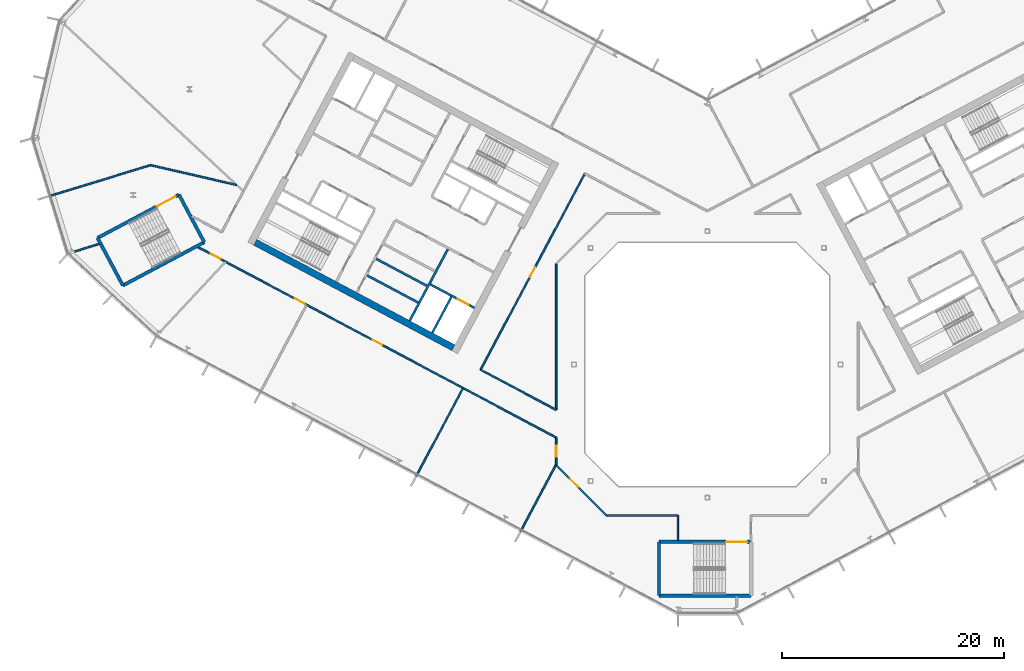
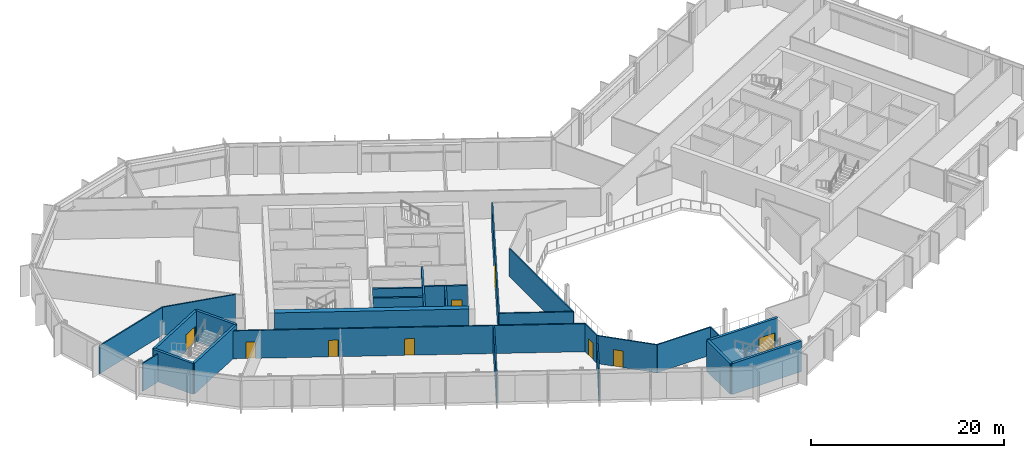
# One storey, part 12 of 26: 26 walls, 9 doors, 9 openings.
"""IFC4 building model written with IfcOpenShell, lengths in metres."""

from ifc_helpers import new_model, si_unit, direction, frame, frame_2d, origin, place, context, subcontext, project, spatial, rectangle, extrude, material, layer, layer_set, type_object, element, fill, save


model = new_model("IFC4")

# Units and contexts
model_context = context("Model", 3, precision=1e-05, world=origin(), true_north=direction((0.0, 1.0)))
body_context = subcontext(model_context, "Body", "Model", "MODEL_VIEW")
ifc_project = project(units=[si_unit("LENGTHUNIT", "METRE"), si_unit("AREAUNIT", "SQUARE_METRE"), si_unit("VOLUMEUNIT", "CUBIC_METRE"), si_unit("PLANEANGLEUNIT", "RADIAN"), si_unit("MASSUNIT", "GRAM", prefix="KILO")], contexts=[model_context])

# Site, building, storey
site_placement = place(None, origin())
site = spatial("IfcSite", under=ifc_project, at=site_placement, CompositionType="ELEMENT")
building_placement = place(site_placement, origin())
building = spatial("IfcBuilding", under=site, at=building_placement, Name="Cormorant Relay Tower", CompositionType="ELEMENT")
storey_placement = place(building_placement, frame((0.0, 0.0, 228.60009765625)))
storey = spatial("IfcBuildingStorey", under=building, at=storey_placement, Name="L50", CompositionType="ELEMENT", Elevation=228.60009765625)

# Walls
ifc_material_1 = material(Name="Concrete 40 MPa", Category="concrete")
ifc_layer_1 = layer(ifc_material_1, 0.199951171875)
ifc_layer_set_1 = layer_set([ifc_layer_1], Name="Core internal wall 200")
wall_type_1 = type_object("IfcWallType", Name="Core internal wall 200", PredefinedType="SOLIDWALL", material=ifc_layer_set_1)
for number, where, z_axis, x_axis, name in (
    (1, (-25.232421875, 7.073974609375, 0.0), (0.0, 0.0, 1.0), (-0.882953967957, 0.469459572775, 0.0), "L50 core A shaft and room wall"),
    (2, (-26.030517578125, 5.572998046875, 0.0), (0.0, 0.0, 1.0), (-0.882953967957, 0.469459572775, 0.0), "L50 core A shaft and room wall"),
):
    element("IfcWall", number, at=place(storey_placement, frame(where, z_axis=z_axis, x_axis=x_axis)), inside=storey, type_object=wall_type_1, Name=name, PredefinedType="SOLIDWALL", context=body_context, shape_type="SweptSolid", body=[
        extrude(rectangle(XDim=5.199951171875, YDim=0.199951171875, at=frame_2d((2.60009765625, 0.0))), origin(), (0.0, 0.0, 1.0), 3.89990234375),
    ])
ifc_material_2 = material(Name="Concrete 50 MPa", Category="concrete")
ifc_layer_2 = layer(ifc_material_2, 0.199951171875)
ifc_layer_set_2 = layer_set([ifc_layer_2], Name="Core shaft wall 200")
wall_type_2 = type_object("IfcWallType", Name="Core shaft wall 200", PredefinedType="SHEAR", material=ifc_layer_set_2)
wall_1_placement = place(storey_placement, frame((-23.04296875, 6.07958984375, 0.0), z_axis=(0.0, 0.0, 1.0), x_axis=(-0.469494272526, -0.882935517501, 0.0)))
element("IfcWall", 3, at=wall_1_placement, inside=storey, type_object=wall_type_2, Name="L50 core A shaft wall", PredefinedType="SHEAR", context=body_context, shape_type="SweptSolid", body=[
    extrude(rectangle(XDim=3.64990234375, YDim=0.199951171875, at=frame_2d((1.824951171875, 0.0))), origin(), (0.0, 0.0, 1.0), 3.89990234375),
])
wall_2_placement = place(storey_placement, frame((-23.360107421875, 10.38232421875, 0.0), z_axis=(0.0, 0.0, 1.0), x_axis=(-0.469480409012, -0.88294288918, 0.0)))
element("IfcWall", 4, at=wall_2_placement, inside=storey, type_object=wall_type_2, Name="L50 core A shaft wall", PredefinedType="SHEAR", context=body_context, shape_type="SweptSolid", body=[
    extrude(rectangle(XDim=7.300048828125, YDim=0.199951171875, at=frame_2d((3.64990234375, 0.0))), origin(), (0.0, 0.0, 1.0), 3.89990234375),
])

# Wall, opening, door
wall_3_placement = place(storey_placement, frame((-20.96533203125, 5.088134765625, 0.0), z_axis=(0.0, 0.0, 1.0), x_axis=(-0.882925986334, 0.469512196493, 0.0)))
wall_3 = element("IfcWall", 5, at=wall_3_placement, inside=storey, type_object=wall_type_2, Name="L50 core A shaft wall", PredefinedType="SHEAR", context=body_context, shape_type="SweptSolid", body=[
    extrude(rectangle(XDim=4.5, YDim=0.199951171875, at=frame_2d((2.25, 0.0))), origin(), (0.0, 0.0, 1.0), 3.89990234375),
])
opening_1_placement = place(wall_3_placement, frame((0.60009765625, 0.0, 0.0)))
opening_1 = element("IfcOpeningElement", 6, at=opening_1_placement, cuts=wall_3, Name="Opening LD1-063", PredefinedType="OPENING", context=body_context, shape_type="SweptSolid", body=[
    extrude(rectangle(XDim=1.10009765625, YDim=2.10009765625, at=frame_2d((0.550048828125, 1.050048828125))), frame((0.0, 0.10986328125, 0.0), z_axis=(0.0, -1.0, 0.0), x_axis=(1.0, 0.0, 0.0)), (0.0, 0.0, 1.0), 0.219970703125),
])
ifc_material_3 = material(Name="Stainless steel 316", Category="steel")
door_type_1 = type_object("IfcDoorType", Name="Lift landing door 1100x2100", OperationType="DOUBLE_DOOR_SLIDING", PredefinedType="DOOR", material=ifc_material_3)
door_1_placement = place(opening_1_placement, origin())
door_1 = element("IfcDoor", 7, at=door_1_placement, inside=storey, type_object=door_type_1, Name="FF1 landing door", OperationType="DOUBLE_DOOR_SLIDING", OverallHeight=2.10009765625, OverallWidth=1.10009765625, PredefinedType="DOOR", context=body_context, shape_type="SweptSolid", body=[
    extrude(rectangle(XDim=1.10009765625, YDim=2.10009765625, at=frame_2d((0.550048828125, 1.050048828125))), frame((0.0, 0.02490234375, 0.0), z_axis=(0.0, -1.0, 0.0), x_axis=(1.0, 0.0, 0.0)), (0.0, 0.0, 1.0), 0.050048828125),
])
fill(opening_1, door_1)

# Wall
ifc_material_4 = material(Name="Concrete 50 MPa", Category="concrete")
ifc_layer_3 = layer(ifc_material_4, 0.60009765625)
ifc_layer_set_3 = layer_set([ifc_layer_3], Name="Core wall 600")
wall_type_3 = type_object("IfcWallType", Name="Core wall 600", PredefinedType="SHEAR", material=ifc_layer_set_3)
wall_4_placement = place(storey_placement, frame((-22.86669921875, 1.51220703125, 0.0), z_axis=(0.0, 0.0, 1.0), x_axis=(-0.88294509198, 0.469476266226, 0.0)))
element("IfcWall", 8, at=wall_4_placement, inside=storey, type_object=wall_type_3, Name="L50 core A wall", PredefinedType="SHEAR", context=body_context, shape_type="SweptSolid", body=[
    extrude(rectangle(XDim=20.199951171875, YDim=0.60009765625, at=frame_2d((10.10009765625, 0.0))), origin(), (0.0, 0.0, 1.0), 3.89990234375),
])

# Wall, opening, door
ifc_material_5 = material(Name="Gypsum board fire partition")
ifc_layer_4 = layer(ifc_material_5, 0.14990234375)
ifc_layer_set_4 = layer_set([ifc_layer_4], Name="Corridor partition 150 EI 60")
wall_type_4 = type_object("IfcWallType", Name="Corridor partition 150 EI 60", PredefinedType="PARTITIONING", material=ifc_layer_set_4)
wall_5_placement = place(storey_placement, frame((-13.60009765625, -9.076904296875, 0.0), z_axis=(0.0, 0.0, 1.0), x_axis=(0.0, 1.0, 0.0)))
wall_5 = element("IfcWall", 9, at=wall_5_placement, inside=storey, type_object=wall_type_4, Name="wall/L50/part/015", PredefinedType="PARTITIONING", context=body_context, shape_type="SweptSolid", body=[
    extrude(rectangle(XDim=2.490966796875, YDim=0.14990234375, at=frame_2d((1.24560546875, 0.0))), origin(), (0.0, 0.0, 1.0), 3.539794921875),
])
opening_2_placement = place(wall_5_placement, frame((0.75, 0.0, 0.0)))
opening_2 = element("IfcOpeningElement", 10, at=opening_2_placement, cuts=wall_5, Name="Opening DS-158", PredefinedType="OPENING", context=body_context, shape_type="SweptSolid", body=[
    extrude(rectangle(XDim=1.0, YDim=2.10009765625, at=frame_2d((0.5, 1.050048828125))), frame((0.0, 0.0849609375, 0.0), z_axis=(0.0, -1.0, 0.0), x_axis=(1.0, 0.0, 0.0)), (0.0, 0.0, 1.0), 0.169921875),
])
ifc_material_6 = material(Name="Timber door leaf", Category="wood")
door_type_2 = type_object("IfcDoorType", Name="Suite door 1000x2100", OperationType="SINGLE_SWING_LEFT", PredefinedType="DOOR", material=ifc_material_6)
door_2_placement = place(opening_2_placement, origin())
door_2 = element("IfcDoor", 11, at=door_2_placement, inside=storey, type_object=door_type_2, Name="door/L50/010", OperationType="SINGLE_SWING_RIGHT", OverallHeight=2.10009765625, OverallWidth=1.0, PredefinedType="DOOR", context=body_context, shape_type="SweptSolid", body=[
    extrude(rectangle(XDim=1.0, YDim=2.10009765625, at=frame_2d((0.5, 1.050048828125))), frame((0.0, 0.02490234375, 0.0), z_axis=(0.0, -1.0, 0.0), x_axis=(1.0, 0.0, 0.0)), (0.0, 0.0, 1.0), 0.050048828125),
])
fill(opening_2, door_2)

# Wall, openings, doors
wall_6_placement = place(storey_placement, frame((-13.60009765625, -6.5859375, 0.0), z_axis=(0.0, 0.0, 1.0), x_axis=(-0.882948083203, 0.469470640582, 0.0)))
wall_6 = element("IfcWall", 12, at=wall_6_placement, inside=storey, type_object=wall_type_4, Name="wall/L50/part/016", PredefinedType="PARTITIONING", context=body_context, shape_type="SweptSolid", body=[
    extrude(rectangle(XDim=36.5556640625, YDim=0.14990234375, at=frame_2d((18.27783203125, 0.0))), origin(), (0.0, 0.0, 1.0), 3.539794921875),
])
opening_3_placement = place(wall_6_placement, frame((34.25, 0.0, 0.0)))
opening_3 = element("IfcOpeningElement", 13, at=opening_3_placement, cuts=wall_6, Name="Opening DS-155", PredefinedType="OPENING", context=body_context, shape_type="SweptSolid", body=[
    extrude(rectangle(XDim=1.0, YDim=2.10009765625, at=frame_2d((0.5, 1.050048828125))), frame((0.0, 0.0849609375, 0.0), z_axis=(0.0, -1.0, 0.0), x_axis=(1.0, 0.0, 0.0)), (0.0, 0.0, 1.0), 0.169921875),
])
opening_4_placement = place(wall_6_placement, frame((25.64990234375, 0.0, 0.0)))
opening_4 = element("IfcOpeningElement", 14, at=opening_4_placement, cuts=wall_6, Name="Opening DS-156", PredefinedType="OPENING", context=body_context, shape_type="SweptSolid", body=[
    extrude(rectangle(XDim=1.0, YDim=2.10009765625, at=frame_2d((0.5, 1.050048828125))), frame((0.0, 0.0849609375, 0.0), z_axis=(0.0, -1.0, 0.0), x_axis=(1.0, 0.0, 0.0)), (0.0, 0.0, 1.0), 0.169921875),
])
opening_5_placement = place(wall_6_placement, frame((17.75, 0.0, 0.0)))
opening_5 = element("IfcOpeningElement", 15, at=opening_5_placement, cuts=wall_6, Name="Opening DS-157", PredefinedType="OPENING", context=body_context, shape_type="SweptSolid", body=[
    extrude(rectangle(XDim=1.0, YDim=2.10009765625, at=frame_2d((0.5, 1.050048828125))), frame((0.0, 0.0849609375, 0.0), z_axis=(0.0, -1.0, 0.0), x_axis=(1.0, 0.0, 0.0)), (0.0, 0.0, 1.0), 0.169921875),
])
door_3_placement = place(opening_3_placement, origin())
door_3 = element("IfcDoor", 16, at=door_3_placement, inside=storey, type_object=door_type_2, Name="door/L50/007", OperationType="SINGLE_SWING_LEFT", OverallHeight=2.10009765625, OverallWidth=1.0, PredefinedType="DOOR", context=body_context, shape_type="SweptSolid", body=[
    extrude(rectangle(XDim=1.0, YDim=2.10009765625, at=frame_2d((0.5, 1.050048828125))), frame((0.0, 0.02490234375, 0.0), z_axis=(0.0, -1.0, 0.0), x_axis=(1.0, 0.0, 0.0)), (0.0, 0.0, 1.0), 0.050048828125),
])
fill(opening_3, door_3)
door_4_placement = place(opening_4_placement, origin())
door_4 = element("IfcDoor", 17, at=door_4_placement, inside=storey, type_object=door_type_2, Name="door/L50/008", OperationType="SINGLE_SWING_LEFT", OverallHeight=2.10009765625, OverallWidth=1.0, PredefinedType="DOOR", context=body_context, shape_type="SweptSolid", body=[
    extrude(rectangle(XDim=1.0, YDim=2.10009765625, at=frame_2d((0.5, 1.050048828125))), frame((0.0, 0.02490234375, 0.0), z_axis=(0.0, -1.0, 0.0), x_axis=(1.0, 0.0, 0.0)), (0.0, 0.0, 1.0), 0.050048828125),
])
fill(opening_4, door_4)
door_5_placement = place(opening_5_placement, origin())
door_5 = element("IfcDoor", 18, at=door_5_placement, inside=storey, type_object=door_type_2, Name="door/L50/009", OperationType="SINGLE_SWING_LEFT", OverallHeight=2.10009765625, OverallWidth=1.0, PredefinedType="DOOR", context=body_context, shape_type="SweptSolid", body=[
    extrude(rectangle(XDim=1.0, YDim=2.10009765625, at=frame_2d((0.5, 1.050048828125))), frame((0.0, 0.02490234375, 0.0), z_axis=(0.0, -1.0, 0.0), x_axis=(1.0, 0.0, 0.0)), (0.0, 0.0, 1.0), 0.050048828125),
])
fill(opening_5, door_5)

# Wall, opening, door
wall_7_placement = place(storey_placement, frame((-13.60009765625, -9.076904296875, 0.0), z_axis=(0.0, 0.0, 1.0), x_axis=(0.707106781187, -0.707106781187, 0.0)))
wall_7 = element("IfcWall", 19, at=wall_7_placement, inside=storey, type_object=wall_type_4, Name="wall/L50/part/023", PredefinedType="PARTITIONING", context=body_context, shape_type="SweptSolid", body=[
    extrude(rectangle(XDim=6.396728515625, YDim=0.14990234375, at=frame_2d((3.1982421875, 0.0))), origin(), (0.0, 0.0, 1.0), 3.539794921875),
])
opening_6_placement = place(wall_7_placement, frame((1.75, 0.0, 0.0)))
opening_6 = element("IfcOpeningElement", 20, at=opening_6_placement, cuts=wall_7, Name="Opening DS-159", PredefinedType="OPENING", context=body_context, shape_type="SweptSolid", body=[
    extrude(rectangle(XDim=1.0, YDim=2.10009765625, at=frame_2d((0.5, 1.050048828125))), frame((0.0, 0.0849609375, 0.0), z_axis=(0.0, -1.0, 0.0), x_axis=(1.0, 0.0, 0.0)), (0.0, 0.0, 1.0), 0.169921875),
])
door_6_placement = place(opening_6_placement, frame((1.0, 0.0, 0.0), z_axis=(0.0, 0.0, 1.0), x_axis=(-1.0, 0.0, 0.0)))
door_6 = element("IfcDoor", 21, at=door_6_placement, inside=storey, type_object=door_type_2, Name="door/L50/011", OperationType="SINGLE_SWING_RIGHT", OverallHeight=2.10009765625, OverallWidth=1.0, PredefinedType="DOOR", context=body_context, shape_type="SweptSolid", body=[
    extrude(rectangle(XDim=1.0, YDim=2.10009765625, at=frame_2d((0.5, 1.050048828125))), frame((0.0, 0.02490234375, 0.0), z_axis=(0.0, -1.0, 0.0), x_axis=(1.0, 0.0, 0.0)), (0.0, 0.0, 1.0), 0.050048828125),
])
fill(opening_6, door_6)

# Walls
wall_8_placement = place(storey_placement, frame((-2.64892578125, -15.875, 0.0), z_axis=(0.0, 0.0, 1.0), x_axis=(0.0, 1.0, 0.0)))
element("IfcWall", 22, at=wall_8_placement, inside=storey, type_object=wall_type_4, Name="wall/L50/part/025", PredefinedType="PARTITIONING", context=body_context, shape_type="SweptSolid", body=[
    extrude(rectangle(XDim=2.27490234375, YDim=0.14990234375, at=frame_2d((1.137451171875, 0.0))), origin(), (0.0, 0.0, 1.0), 3.539794921875),
])
wall_9_placement = place(storey_placement, frame((-2.64892578125, -13.60009765625, 0.0), z_axis=(0.0, 0.0, 1.0), x_axis=(-1.0, 0.0, 0.0)))
element("IfcWall", 23, at=wall_9_placement, inside=storey, type_object=wall_type_4, Name="wall/L50/part/026", PredefinedType="PARTITIONING", context=body_context, shape_type="SweptSolid", body=[
    extrude(rectangle(XDim=6.427978515625, YDim=0.14990234375, at=frame_2d((3.2138671875, 0.0))), origin(), (0.0, 0.0, 1.0), 3.539794921875),
])

# Wall, opening, door
wall_10_placement = place(storey_placement, frame((-20.410888671875, -0.472900390625, 0.0), z_axis=(0.0, 0.0, 1.0), x_axis=(0.469451816494, 0.882958091865, 0.0)))
wall_10 = element("IfcWall", 24, at=wall_10_placement, inside=storey, type_object=wall_type_4, Name="wall/L50/part/042", PredefinedType="PARTITIONING", context=body_context, shape_type="SweptSolid", body=[
    extrude(rectangle(XDim=19.999755859375, YDim=0.14990234375, at=frame_2d((10.0, 0.0))), origin(), (0.0, 0.0, 1.0), 3.539794921875),
])
opening_7_placement = place(wall_10_placement, frame((9.449951171875, 0.0, 0.0)))
opening_7 = element("IfcOpeningElement", 25, at=opening_7_placement, cuts=wall_10, Name="Opening DS-132", PredefinedType="OPENING", context=body_context, shape_type="SweptSolid", body=[
    extrude(rectangle(XDim=1.0, YDim=2.10009765625, at=frame_2d((0.5, 1.050048828125))), frame((0.0, 0.0849609375, 0.0), z_axis=(0.0, -1.0, 0.0), x_axis=(1.0, 0.0, 0.0)), (0.0, 0.0, 1.0), 0.169921875),
])
door_7_placement = place(opening_7_placement, frame((1.0, 0.0, 0.0), z_axis=(0.0, 0.0, 1.0), x_axis=(-1.0, 0.0, 0.0)))
door_7 = element("IfcDoor", 26, at=door_7_placement, inside=storey, type_object=door_type_2, Name="door/L50/012", OperationType="SINGLE_SWING_LEFT", OverallHeight=2.10009765625, OverallWidth=1.0, PredefinedType="DOOR", context=body_context, shape_type="SweptSolid", body=[
    extrude(rectangle(XDim=1.0, YDim=2.10009765625, at=frame_2d((0.5, 1.050048828125))), frame((0.0, 0.02490234375, 0.0), z_axis=(0.0, -1.0, 0.0), x_axis=(1.0, 0.0, 0.0)), (0.0, 0.0, 1.0), 0.050048828125),
])
fill(opening_7, door_7)

# Walls
wall_11_placement = place(storey_placement, frame((-13.60009765625, 9.076904296875, 0.0), z_axis=(0.0, 0.0, 1.0), x_axis=(0.0, -1.0, 0.0)))
element("IfcWall", 27, at=wall_11_placement, inside=storey, type_object=wall_type_4, Name="wall/L50/part/046", PredefinedType="PARTITIONING", context=body_context, shape_type="SweptSolid", body=[
    extrude(rectangle(XDim=13.1708984375, YDim=0.14990234375, at=frame_2d((6.58544921875, 0.0))), origin(), (0.0, 0.0, 1.0), 3.539794921875),
])
wall_12_placement = place(storey_placement, frame((-13.60009765625, -4.093994140625, 0.0), z_axis=(0.0, 0.0, 1.0), x_axis=(-0.882961998231, 0.469444469218, 0.0)))
element("IfcWall", 28, at=wall_12_placement, inside=storey, type_object=wall_type_4, Name="wall/L50/part/047", PredefinedType="PARTITIONING", context=body_context, shape_type="SweptSolid", body=[
    extrude(rectangle(XDim=7.713623046875, YDim=0.14990234375, at=frame_2d((3.85693359375, 0.0))), origin(), (0.0, 0.0, 1.0), 3.539794921875),
])
ifc_material_7 = material(Name="Concrete 50 MPa", Category="concrete")
ifc_layer_5 = layer(ifc_material_7, 0.300048828125)
ifc_layer_set_5 = layer_set([ifc_layer_5], Name="Remote stair wall 300")
wall_type_5 = type_object("IfcWallType", Name="Remote stair wall 300", PredefinedType="SHEAR", material=ifc_layer_set_5)
wall_13_placement = place(storey_placement, frame((3.949951171875, -20.824951171875, 0.0), z_axis=(0.0, 0.0, 1.0), x_axis=(-1.0, 0.0, 0.0)))
element("IfcWall", 29, at=wall_13_placement, inside=storey, type_object=wall_type_5, Name="L50 exit stair RK1 wall", PredefinedType="SHEAR", context=body_context, shape_type="SweptSolid", body=[
    extrude(rectangle(XDim=8.300048828125, YDim=0.300048828125, at=frame_2d((4.14990234375, 0.0))), origin(), (0.0, 0.0, 1.0), 3.89990234375),
])
wall_14_placement = place(storey_placement, frame((-4.35009765625, -20.824951171875, 0.0), z_axis=(0.0, 0.0, 1.0), x_axis=(0.0, 1.0, 0.0)))
element("IfcWall", 30, at=wall_14_placement, inside=storey, type_object=wall_type_5, Name="L50 exit stair RK1 wall", PredefinedType="SHEAR", context=body_context, shape_type="SweptSolid", body=[
    extrude(rectangle(XDim=4.849853515625, YDim=0.300048828125, at=frame_2d((2.4248046875, 0.0))), origin(), (0.0, 0.0, 1.0), 3.89990234375),
])

# Wall, opening, door
wall_15_placement = place(storey_placement, frame((-4.35009765625, -15.97509765625, 0.0), z_axis=(0.0, 0.0, 1.0), x_axis=(1.0, 0.0, 0.0)))
wall_15 = element("IfcWall", 31, at=wall_15_placement, inside=storey, type_object=wall_type_5, Name="L50 exit stair RK1 wall", PredefinedType="SHEAR", context=body_context, shape_type="SweptSolid", body=[
    extrude(rectangle(XDim=8.300048828125, YDim=0.300048828125, at=frame_2d((4.14990234375, 0.0))), origin(), (0.0, 0.0, 1.0), 3.89990234375),
])
opening_8_placement = place(wall_15_placement, frame((6.050048828125, 0.0, 0.0)))
opening_8 = element("IfcOpeningElement", 32, at=opening_8_placement, cuts=wall_15, Name="Opening CDE-014", PredefinedType="OPENING", context=body_context, shape_type="SweptSolid", body=[
    extrude(rectangle(XDim=1.89990234375, YDim=2.10009765625, at=frame_2d((0.949951171875, 1.050048828125))), frame((0.0, 0.159912109375, 0.0), z_axis=(0.0, -1.0, 0.0), x_axis=(1.0, 0.0, 0.0)), (0.0, 0.0, 1.0), 0.320068359375),
])
ifc_material_8 = material(Name="Steel fire door", Category="steel")
door_type_3 = type_object("IfcDoorType", Name="Remote stair door 1900x2100", OperationType="DOUBLE_DOOR_SINGLE_SWING", PredefinedType="DOOR", material=ifc_material_8)
door_8_placement = place(opening_8_placement, frame((1.89990234375, 0.0, 0.0), z_axis=(0.0, 0.0, 1.0), x_axis=(-1.0, 0.0, 0.0)))
door_8 = element("IfcDoor", 33, at=door_8_placement, inside=storey, type_object=door_type_3, Name="Exit stair RK1 door", OperationType="DOUBLE_DOOR_SINGLE_SWING", OverallHeight=2.10009765625, OverallWidth=1.89990234375, PredefinedType="DOOR", context=body_context, shape_type="SweptSolid", body=[
    extrude(rectangle(XDim=1.89990234375, YDim=2.10009765625, at=frame_2d((0.949951171875, 1.050048828125))), frame((0.0, 0.02490234375, 0.0), z_axis=(0.0, -1.0, 0.0), x_axis=(1.0, 0.0, 0.0)), (0.0, 0.0, 1.0), 0.050048828125),
])
fill(opening_8, door_8)

# Walls
wall_16_placement = place(storey_placement, frame((-47.57421875, 15.28955078125, 0.0), z_axis=(0.0, 0.0, 1.0), x_axis=(0.469443498566, -0.882962514297, 0.0)))
element("IfcWall", 34, at=wall_16_placement, inside=storey, type_object=wall_type_5, Name="L50 exit stair RP1 wall", PredefinedType="SHEAR", context=body_context, shape_type="SweptSolid", body=[
    extrude(rectangle(XDim=4.85009765625, YDim=0.300048828125, at=frame_2d((2.425048828125, 0.0))), origin(), (0.0, 0.0, 1.0), 3.89990234375),
])
wall_17_placement = place(storey_placement, frame((-45.29736328125, 11.007080078125, 0.0), z_axis=(0.0, 0.0, 1.0), x_axis=(-0.882951519127, -0.469464178475, 0.0)))
element("IfcWall", 35, at=wall_17_placement, inside=storey, type_object=wall_type_5, Name="L50 exit stair RP1 wall", PredefinedType="SHEAR", context=body_context, shape_type="SweptSolid", body=[
    extrude(rectangle(XDim=8.2998046875, YDim=0.300048828125, at=frame_2d((4.14990234375, 0.0))), origin(), (0.0, 0.0, 1.0), 3.89990234375),
])
wall_18_placement = place(storey_placement, frame((-52.625732421875, 7.110595703125, 0.0), z_axis=(0.0, 0.0, 1.0), x_axis=(-0.469464364128, 0.882951420416, 0.0)))
element("IfcWall", 36, at=wall_18_placement, inside=storey, type_object=wall_type_5, Name="L50 exit stair RP1 wall", PredefinedType="SHEAR", context=body_context, shape_type="SweptSolid", body=[
    extrude(rectangle(XDim=4.849853515625, YDim=0.300048828125, at=frame_2d((2.4248046875, 0.0))), origin(), (0.0, 0.0, 1.0), 3.89990234375),
])

# Wall, opening, door
wall_19_placement = place(storey_placement, frame((-54.902587890625, 11.392822265625, 0.0), z_axis=(0.0, 0.0, 1.0), x_axis=(0.882939326045, 0.469487110071, 0.0)))
wall_19 = element("IfcWall", 37, at=wall_19_placement, inside=storey, type_object=wall_type_5, Name="L50 exit stair RP1 wall", PredefinedType="SHEAR", context=body_context, shape_type="SweptSolid", body=[
    extrude(rectangle(XDim=8.300048828125, YDim=0.300048828125, at=frame_2d((4.14990234375, 0.0))), origin(), (0.0, 0.0, 1.0), 3.89990234375),
])
opening_9_placement = place(wall_19_placement, frame((6.050048828125, 0.0, 0.0)))
opening_9 = element("IfcOpeningElement", 38, at=opening_9_placement, cuts=wall_19, Name="Opening CDE-015", PredefinedType="OPENING", context=body_context, shape_type="SweptSolid", body=[
    extrude(rectangle(XDim=1.89990234375, YDim=2.10009765625, at=frame_2d((0.949951171875, 1.050048828125))), frame((0.0, 0.159912109375, 0.0), z_axis=(0.0, -1.0, 0.0), x_axis=(1.0, 0.0, 0.0)), (0.0, 0.0, 1.0), 0.320068359375),
])
door_9_placement = place(opening_9_placement, frame((1.89990234375, 0.0, 0.0), z_axis=(0.0, 0.0, 1.0), x_axis=(-1.0, 0.0, 0.0)))
door_9 = element("IfcDoor", 39, at=door_9_placement, inside=storey, type_object=door_type_3, Name="Exit stair RP1 door", OperationType="DOUBLE_DOOR_SINGLE_SWING", OverallHeight=2.10009765625, OverallWidth=1.89990234375, PredefinedType="DOOR", context=body_context, shape_type="SweptSolid", body=[
    extrude(rectangle(XDim=1.89990234375, YDim=2.10009765625, at=frame_2d((0.949951171875, 1.050048828125))), frame((0.0, 0.02490234375, 0.0), z_axis=(0.0, -1.0, 0.0), x_axis=(1.0, 0.0, 0.0)), (0.0, 0.0, 1.0), 0.050048828125),
])
fill(opening_9, door_9)

# Walls
ifc_material_9 = material(Name="Gypsum board partition")
ifc_layer_6 = layer(ifc_material_9, 0.14990234375)
ifc_layer_set_6 = layer_set([ifc_layer_6], Name="Tenant partition 150")
wall_type_6 = type_object("IfcWallType", Name="Tenant partition 150", PredefinedType="PARTITIONING", material=ifc_layer_set_6)
wall_20_placement = place(storey_placement, frame((-59.322021484375, 15.136962890625, 0.0), z_axis=(0.0, 0.0, 1.0), x_axis=(0.956301289206, 0.292383043732, 0.0)))
element("IfcWall", 40, at=wall_20_placement, inside=storey, type_object=wall_type_6, Name="wall/L50/part/001", PredefinedType="PARTITIONING", context=body_context, shape_type="SweptSolid", body=[
    extrude(rectangle(XDim=9.6142578125, YDim=0.14990234375, at=frame_2d((4.80712890625, 0.0))), origin(), (0.0, 0.0, 1.0), 3.539794921875),
])
wall_21_placement = place(storey_placement, frame((-50.1279296875, 17.947998046875, 0.0), z_axis=(0.0, 0.0, 1.0), x_axis=(0.974372577987, -0.224940168193, 0.0)))
element("IfcWall", 41, at=wall_21_placement, inside=storey, type_object=wall_type_6, Name="wall/L50/part/002", PredefinedType="PARTITIONING", context=body_context, shape_type="SweptSolid", body=[
    extrude(rectangle(XDim=7.957763671875, YDim=0.14990234375, at=frame_2d((3.97900390625, 0.0))), origin(), (0.0, 0.0, 1.0), 3.539794921875),
])
wall_22_placement = place(storey_placement, frame((-54.73193359375, 10.85693359375, 0.0), z_axis=(0.0, 0.0, 1.0), x_axis=(-0.956308315689, -0.292360061129, 0.0)))
element("IfcWall", 42, at=wall_22_placement, inside=storey, type_object=wall_type_6, Name="wall/L50/part/006", PredefinedType="PARTITIONING", context=body_context, shape_type="SweptSolid", body=[
    extrude(rectangle(XDim=2.36669921875, YDim=0.14990234375, at=frame_2d((1.183349609375, 0.0))), origin(), (0.0, 0.0, 1.0), 3.539794921875),
])
wall_23_placement = place(storey_placement, frame((-21.989013671875, -2.1259765625, 0.0), z_axis=(0.0, 0.0, 1.0), x_axis=(-0.469481145989, -0.882942497313, 0.0)))
element("IfcWall", 43, at=wall_23_placement, inside=storey, type_object=wall_type_6, Name="wall/L50/part/019", PredefinedType="PARTITIONING", context=body_context, shape_type="SweptSolid", body=[
    extrude(rectangle(XDim=8.99951171875, YDim=0.14990234375, at=frame_2d((4.499755859375, 0.0))), origin(), (0.0, 0.0, 1.0), 3.539794921875),
])
wall_24_placement = place(storey_placement, frame((-13.60009765625, -8.998046875, 0.0), z_axis=(0.0, 0.0, 1.0), x_axis=(-0.469531053644, -0.882915958438, 0.0)))
element("IfcWall", 44, at=wall_24_placement, inside=storey, type_object=wall_type_6, Name="wall/L50/part/021", PredefinedType="PARTITIONING", context=body_context, shape_type="SweptSolid", body=[
    extrude(rectangle(XDim=6.870361328125, YDim=0.14990234375, at=frame_2d((3.43505859375, 0.0))), origin(), (0.0, 0.0, 1.0), 3.539794921875),
])

save(model, "model.ifc")
